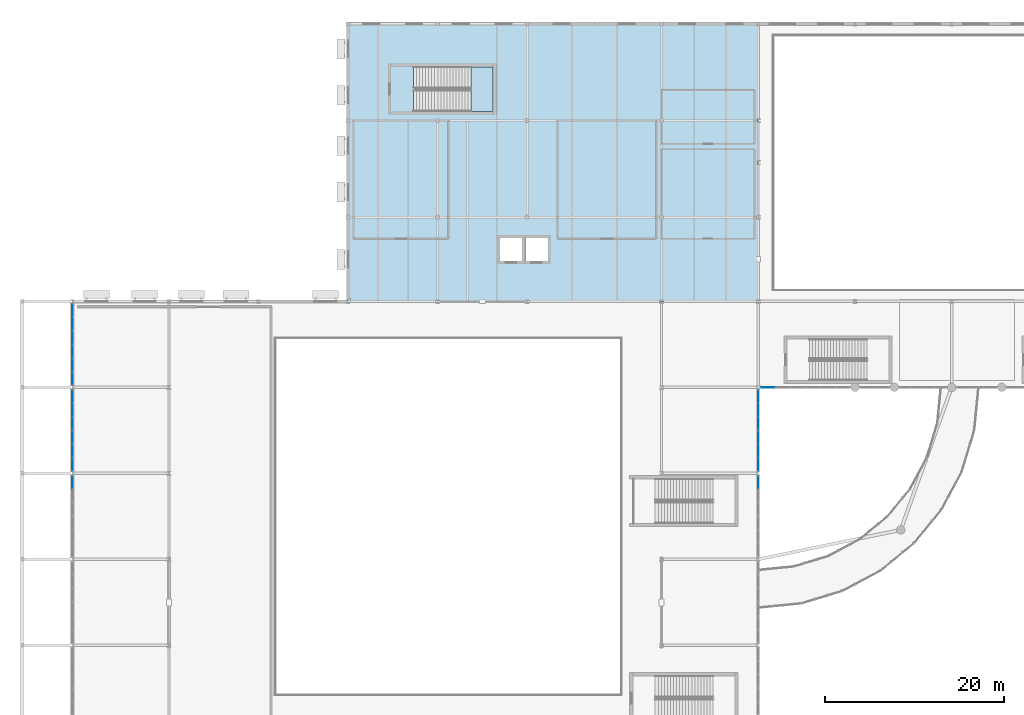
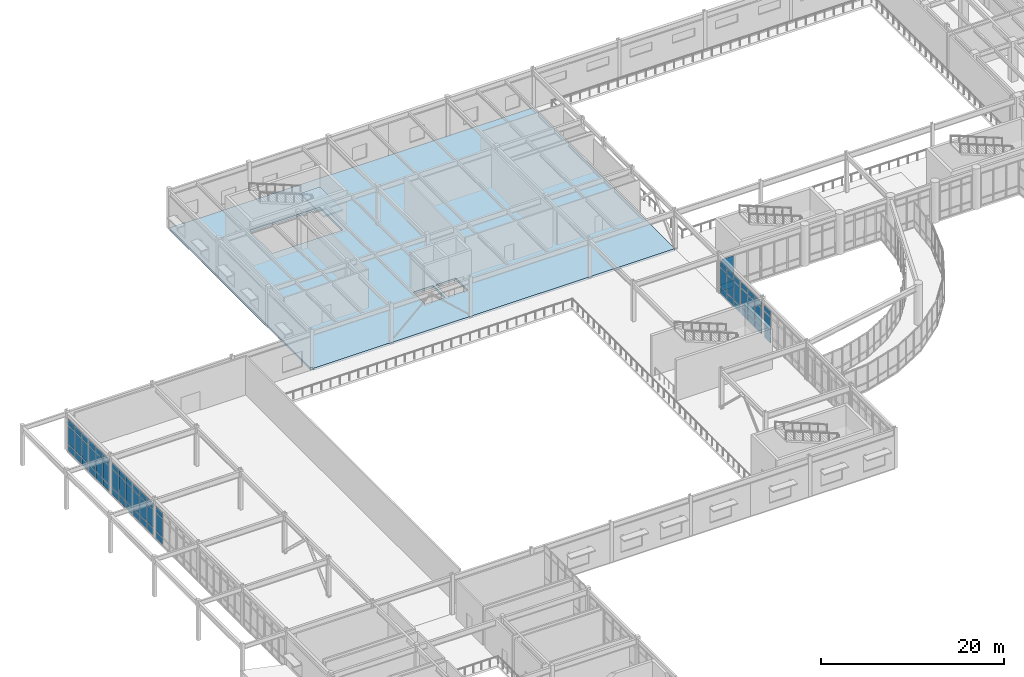
# One storey, part 41 of 72: 62 plates, 2 slabs, 10 elements without a shape of their own.
"""IFC4 building model written with IfcOpenShell, lengths in metres."""

from ifc_helpers import new_model, si_unit, direction, frame, origin, origin_2d, place, context, subcontext, project, spatial, polyline, rectangle, outline, extrude, material, layer, layer_set, type_object, element, aggregate, save


model = new_model("IFC4")

# Units and contexts
model_context = context("Model", 3, precision=1e-05, world=origin(), true_north=direction((0.0, 1.0)))
body_context = subcontext(model_context, "Body", "Model", "MODEL_VIEW")
ifc_project = project(units=[si_unit("LENGTHUNIT", "METRE"), si_unit("AREAUNIT", "SQUARE_METRE"), si_unit("VOLUMEUNIT", "CUBIC_METRE"), si_unit("PLANEANGLEUNIT", "RADIAN"), si_unit("MASSUNIT", "GRAM", prefix="KILO")], contexts=[model_context])

# Site, building, storey
site_placement = place(None, origin())
site = spatial("IfcSite", under=ifc_project, at=site_placement, CompositionType="ELEMENT")
building_placement = place(site_placement, origin())
building = spatial("IfcBuilding", under=site, at=building_placement, Name="Veldera Park Congress Hotel", CompositionType="ELEMENT")
storey_placement = place(building_placement, frame((0.0, 0.0, 5.39990234375)))
storey = spatial("IfcBuildingStorey", under=building, at=storey_placement, Name="L01", CompositionType="ELEMENT", Elevation=5.39990234375)

# Curtain wall, plates
ifc_material_1 = material(Name="Low-E Triple Insulating Glass Unit (SHGC 0.22)", Category="glass")
curtain_wall_type_1 = type_object("IfcCurtainWallType", Name="CW-POD", PredefinedType="NOTDEFINED", material=ifc_material_1)
curtain_wall_1_placement = place(storey_placement, origin())
curtain_wall_1 = element("IfcCurtainWall", 1, at=curtain_wall_1_placement, inside=storey, type_object=curtain_wall_type_1, Name="L01 Curtain Wall CW3-V2S-L01-029", PredefinedType="NOTDEFINED")
ifc_layer_1 = layer(ifc_material_1, 0.028076171875)
ifc_layer_set_1 = layer_set([ifc_layer_1], Name="Low-E Triple Insulating Glass Unit (SHGC 0.22)")
plate_type_1 = type_object("IfcPlateType", Name="CWP-IGU28", PredefinedType="CURTAIN_PANEL", material=ifc_layer_set_1)
plate_1_placement = place(storey_placement, frame((-0.5185546875, 17.39990234375, 0.0751953125), z_axis=(0.0, 0.0, 1.0), x_axis=(1.0, 0.0, 0.0)))
plate_1 = element("IfcPlate", 2, at=plate_1_placement, type_object=plate_type_1, Name="CW-POD panel 1.1", PredefinedType="CURTAIN_PANEL", context=body_context, shape_type="SweptSolid", body=[
    extrude(rectangle(XDim=1.558837890625, YDim=0.028076171875, at=origin_2d()), origin(), (0.0, 0.0, 1.0), 0.887451171875),
])
plate_2_placement = place(storey_placement, frame((-0.5185546875, 17.39990234375, 1.03759765625), z_axis=(0.0, 0.0, 1.0), x_axis=(1.0, 0.0, 0.0)))
plate_2 = element("IfcPlate", 3, at=plate_2_placement, type_object=plate_type_1, Name="CW-POD panel 1.2", PredefinedType="CURTAIN_PANEL", context=body_context, shape_type="SweptSolid", body=[
    extrude(rectangle(XDim=1.558837890625, YDim=0.028076171875, at=origin_2d()), origin(), (0.0, 0.0, 1.0), 3.2333984375),
])
aggregate(curtain_wall_1, [plate_1, plate_2])

curtain_wall_type_2 = type_object("IfcCurtainWallType", Name="CW-CNG", PredefinedType="NOTDEFINED", material=ifc_material_1)
curtain_wall_2_placement = place(storey_placement, origin())
curtain_wall_2 = element("IfcCurtainWall", 4, at=curtain_wall_2_placement, inside=storey, type_object=curtain_wall_type_2, Name="L01 Curtain Wall CW3-V1W-L01-011", PredefinedType="NOTDEFINED")
ifc_layer_2 = layer(ifc_material_1, 0.035888671875)
ifc_layer_set_2 = layer_set([ifc_layer_2], Name="Low-E Triple Insulating Glass Unit (SHGC 0.22)")
plate_type_2 = type_object("IfcPlateType", Name="CWP-IGU36", PredefinedType="CURTAIN_PANEL", material=ifc_layer_set_2)
plate_3_placement = place(storey_placement, frame((-78.199951171875, 25.994140625, 0.0751953125), z_axis=(0.0, 0.0, 1.0), x_axis=(0.0, -1.0, 0.0)))
plate_3 = element("IfcPlate", 5, at=plate_3_placement, type_object=plate_type_2, Name="CW-CNG panel 1.1", PredefinedType="CURTAIN_PANEL", context=body_context, shape_type="SweptSolid", body=[
    extrude(rectangle(XDim=1.40673828125, YDim=0.035888671875, at=origin_2d()), origin(), (0.0, 0.0, 1.0), 0.887451171875),
])
plate_4_placement = place(storey_placement, frame((-78.199951171875, 25.994140625, 1.03759765625), z_axis=(0.0, 0.0, 1.0), x_axis=(0.0, -1.0, 0.0)))
plate_4 = element("IfcPlate", 6, at=plate_4_placement, type_object=plate_type_2, Name="CW-CNG panel 1.2", PredefinedType="CURTAIN_PANEL", context=body_context, shape_type="SweptSolid", body=[
    extrude(rectangle(XDim=1.40673828125, YDim=0.035888671875, at=origin_2d()), origin(), (0.0, 0.0, 1.0), 2.4541015625),
])
plate_5_placement = place(storey_placement, frame((-78.199951171875, 25.994140625, 3.566650390625), z_axis=(0.0, 0.0, 1.0), x_axis=(0.0, -1.0, 0.0)))
plate_5 = element("IfcPlate", 7, at=plate_5_placement, type_object=plate_type_2, Name="CW-CNG panel 1.3", PredefinedType="CURTAIN_PANEL", context=body_context, shape_type="SweptSolid", body=[
    extrude(rectangle(XDim=1.40673828125, YDim=0.035888671875, at=origin_2d()), origin(), (0.0, 0.0, 1.0), 0.78759765625),
])
plate_6_placement = place(storey_placement, frame((-78.199951171875, 24.49365234375, 0.0751953125), z_axis=(0.0, 0.0, 1.0), x_axis=(0.0, -1.0, 0.0)))
plate_6 = element("IfcPlate", 8, at=plate_6_placement, type_object=plate_type_2, Name="CW-CNG panel 2.1", PredefinedType="CURTAIN_PANEL", context=body_context, shape_type="SweptSolid", body=[
    extrude(rectangle(XDim=1.444091796875, YDim=0.035888671875, at=origin_2d()), origin(), (0.0, 0.0, 1.0), 0.887451171875),
])
plate_7_placement = place(storey_placement, frame((-78.199951171875, 24.49365234375, 1.03759765625), z_axis=(0.0, 0.0, 1.0), x_axis=(0.0, -1.0, 0.0)))
plate_7 = element("IfcPlate", 9, at=plate_7_placement, type_object=plate_type_2, Name="CW-CNG panel 2.2", PredefinedType="CURTAIN_PANEL", context=body_context, shape_type="SweptSolid", body=[
    extrude(rectangle(XDim=1.444091796875, YDim=0.035888671875, at=origin_2d()), origin(), (0.0, 0.0, 1.0), 2.4541015625),
])
plate_8_placement = place(storey_placement, frame((-78.199951171875, 24.49365234375, 3.566650390625), z_axis=(0.0, 0.0, 1.0), x_axis=(0.0, -1.0, 0.0)))
plate_8 = element("IfcPlate", 10, at=plate_8_placement, type_object=plate_type_2, Name="CW-CNG panel 2.3", PredefinedType="CURTAIN_PANEL", context=body_context, shape_type="SweptSolid", body=[
    extrude(rectangle(XDim=1.444091796875, YDim=0.035888671875, at=origin_2d()), origin(), (0.0, 0.0, 1.0), 0.78759765625),
])
plate_9_placement = place(storey_placement, frame((-78.199951171875, 22.993408203125, 0.0751953125), z_axis=(0.0, 0.0, 1.0), x_axis=(0.0, -1.0, 0.0)))
plate_9 = element("IfcPlate", 11, at=plate_9_placement, type_object=plate_type_2, Name="CW-CNG panel 3.1", PredefinedType="CURTAIN_PANEL", context=body_context, shape_type="SweptSolid", body=[
    extrude(rectangle(XDim=1.40673828125, YDim=0.035888671875, at=origin_2d()), origin(), (0.0, 0.0, 1.0), 0.887451171875),
])
plate_10_placement = place(storey_placement, frame((-78.199951171875, 22.993408203125, 1.03759765625), z_axis=(0.0, 0.0, 1.0), x_axis=(0.0, -1.0, 0.0)))
plate_10 = element("IfcPlate", 12, at=plate_10_placement, type_object=plate_type_2, Name="CW-CNG panel 3.2", PredefinedType="CURTAIN_PANEL", context=body_context, shape_type="SweptSolid", body=[
    extrude(rectangle(XDim=1.40673828125, YDim=0.035888671875, at=origin_2d()), origin(), (0.0, 0.0, 1.0), 2.4541015625),
])
plate_11_placement = place(storey_placement, frame((-78.199951171875, 22.993408203125, 3.566650390625), z_axis=(0.0, 0.0, 1.0), x_axis=(0.0, -1.0, 0.0)))
plate_11 = element("IfcPlate", 13, at=plate_11_placement, type_object=plate_type_2, Name="CW-CNG panel 3.3", PredefinedType="CURTAIN_PANEL", context=body_context, shape_type="SweptSolid", body=[
    extrude(rectangle(XDim=1.40673828125, YDim=0.035888671875, at=origin_2d()), origin(), (0.0, 0.0, 1.0), 0.78759765625),
])
aggregate(curtain_wall_2, [plate_3, plate_4, plate_5, plate_6, plate_7, plate_8, plate_9, plate_10, plate_11])

curtain_wall_3_placement = place(storey_placement, origin())
curtain_wall_3 = element("IfcCurtainWall", 14, at=curtain_wall_3_placement, inside=storey, type_object=curtain_wall_type_2, Name="L01 Curtain Wall CW3-V1W-L01-012", PredefinedType="NOTDEFINED")
plate_12_placement = place(storey_placement, frame((-78.199951171875, 21.40673828125, 0.0751953125), z_axis=(0.0, 0.0, 1.0), x_axis=(0.0, -1.0, 0.0)))
plate_12 = element("IfcPlate", 15, at=plate_12_placement, type_object=plate_type_2, Name="CW-CNG panel 1.1", PredefinedType="CURTAIN_PANEL", context=body_context, shape_type="SweptSolid", body=[
    extrude(rectangle(XDim=1.40673828125, YDim=0.035888671875, at=origin_2d()), origin(), (0.0, 0.0, 1.0), 0.887451171875),
])
plate_13_placement = place(storey_placement, frame((-78.199951171875, 21.40673828125, 1.03759765625), z_axis=(0.0, 0.0, 1.0), x_axis=(0.0, -1.0, 0.0)))
plate_13 = element("IfcPlate", 16, at=plate_13_placement, type_object=plate_type_2, Name="CW-CNG panel 1.2", PredefinedType="CURTAIN_PANEL", context=body_context, shape_type="SweptSolid", body=[
    extrude(rectangle(XDim=1.40673828125, YDim=0.035888671875, at=origin_2d()), origin(), (0.0, 0.0, 1.0), 2.4541015625),
])
plate_14_placement = place(storey_placement, frame((-78.199951171875, 21.40673828125, 3.566650390625), z_axis=(0.0, 0.0, 1.0), x_axis=(0.0, -1.0, 0.0)))
plate_14 = element("IfcPlate", 17, at=plate_14_placement, type_object=plate_type_2, Name="CW-CNG panel 1.3", PredefinedType="CURTAIN_PANEL", context=body_context, shape_type="SweptSolid", body=[
    extrude(rectangle(XDim=1.40673828125, YDim=0.035888671875, at=origin_2d()), origin(), (0.0, 0.0, 1.0), 0.78759765625),
])
plate_15_placement = place(storey_placement, frame((-78.199951171875, 19.90625, 0.0751953125), z_axis=(0.0, 0.0, 1.0), x_axis=(0.0, -1.0, 0.0)))
plate_15 = element("IfcPlate", 18, at=plate_15_placement, type_object=plate_type_2, Name="CW-CNG panel 2.1", PredefinedType="CURTAIN_PANEL", context=body_context, shape_type="SweptSolid", body=[
    extrude(rectangle(XDim=1.444091796875, YDim=0.035888671875, at=origin_2d()), origin(), (0.0, 0.0, 1.0), 0.887451171875),
])
plate_16_placement = place(storey_placement, frame((-78.199951171875, 19.90625, 1.03759765625), z_axis=(0.0, 0.0, 1.0), x_axis=(0.0, -1.0, 0.0)))
plate_16 = element("IfcPlate", 19, at=plate_16_placement, type_object=plate_type_2, Name="CW-CNG panel 2.2", PredefinedType="CURTAIN_PANEL", context=body_context, shape_type="SweptSolid", body=[
    extrude(rectangle(XDim=1.444091796875, YDim=0.035888671875, at=origin_2d()), origin(), (0.0, 0.0, 1.0), 2.4541015625),
])
plate_17_placement = place(storey_placement, frame((-78.199951171875, 19.90625, 3.566650390625), z_axis=(0.0, 0.0, 1.0), x_axis=(0.0, -1.0, 0.0)))
plate_17 = element("IfcPlate", 20, at=plate_17_placement, type_object=plate_type_2, Name="CW-CNG panel 2.3", PredefinedType="CURTAIN_PANEL", context=body_context, shape_type="SweptSolid", body=[
    extrude(rectangle(XDim=1.444091796875, YDim=0.035888671875, at=origin_2d()), origin(), (0.0, 0.0, 1.0), 0.78759765625),
])
plate_18_placement = place(storey_placement, frame((-78.199951171875, 18.40576171875, 0.0751953125), z_axis=(0.0, 0.0, 1.0), x_axis=(0.0, -1.0, 0.0)))
plate_18 = element("IfcPlate", 21, at=plate_18_placement, type_object=plate_type_2, Name="CW-CNG panel 3.1", PredefinedType="CURTAIN_PANEL", context=body_context, shape_type="SweptSolid", body=[
    extrude(rectangle(XDim=1.40673828125, YDim=0.035888671875, at=origin_2d()), origin(), (0.0, 0.0, 1.0), 0.887451171875),
])
plate_19_placement = place(storey_placement, frame((-78.199951171875, 18.40576171875, 1.03759765625), z_axis=(0.0, 0.0, 1.0), x_axis=(0.0, -1.0, 0.0)))
plate_19 = element("IfcPlate", 22, at=plate_19_placement, type_object=plate_type_2, Name="CW-CNG panel 3.2", PredefinedType="CURTAIN_PANEL", context=body_context, shape_type="SweptSolid", body=[
    extrude(rectangle(XDim=1.40673828125, YDim=0.035888671875, at=origin_2d()), origin(), (0.0, 0.0, 1.0), 2.4541015625),
])
plate_20_placement = place(storey_placement, frame((-78.199951171875, 18.40576171875, 3.566650390625), z_axis=(0.0, 0.0, 1.0), x_axis=(0.0, -1.0, 0.0)))
plate_20 = element("IfcPlate", 23, at=plate_20_placement, type_object=plate_type_2, Name="CW-CNG panel 3.3", PredefinedType="CURTAIN_PANEL", context=body_context, shape_type="SweptSolid", body=[
    extrude(rectangle(XDim=1.40673828125, YDim=0.035888671875, at=origin_2d()), origin(), (0.0, 0.0, 1.0), 0.78759765625),
])
aggregate(curtain_wall_3, [plate_12, plate_13, plate_14, plate_15, plate_16, plate_17, plate_18, plate_19, plate_20])

curtain_wall_4_placement = place(storey_placement, origin())
curtain_wall_4 = element("IfcCurtainWall", 24, at=curtain_wall_4_placement, inside=storey, type_object=curtain_wall_type_2, Name="L01 Curtain Wall CW3-V1W-L01-013", PredefinedType="NOTDEFINED")
plate_21_placement = place(storey_placement, frame((-78.199951171875, 16.394287109375, 0.0751953125), z_axis=(0.0, 0.0, 1.0), x_axis=(0.0, -1.0, 0.0)))
plate_21 = element("IfcPlate", 25, at=plate_21_placement, type_object=plate_type_2, Name="CW-CNG panel 1.1", PredefinedType="CURTAIN_PANEL", context=body_context, shape_type="SweptSolid", body=[
    extrude(rectangle(XDim=1.40673828125, YDim=0.035888671875, at=origin_2d()), origin(), (0.0, 0.0, 1.0), 0.887451171875),
])
plate_22_placement = place(storey_placement, frame((-78.199951171875, 16.394287109375, 1.03759765625), z_axis=(0.0, 0.0, 1.0), x_axis=(0.0, -1.0, 0.0)))
plate_22 = element("IfcPlate", 26, at=plate_22_placement, type_object=plate_type_2, Name="CW-CNG panel 1.2", PredefinedType="CURTAIN_PANEL", context=body_context, shape_type="SweptSolid", body=[
    extrude(rectangle(XDim=1.40673828125, YDim=0.035888671875, at=origin_2d()), origin(), (0.0, 0.0, 1.0), 2.4541015625),
])
plate_23_placement = place(storey_placement, frame((-78.199951171875, 16.394287109375, 3.566650390625), z_axis=(0.0, 0.0, 1.0), x_axis=(0.0, -1.0, 0.0)))
plate_23 = element("IfcPlate", 27, at=plate_23_placement, type_object=plate_type_2, Name="CW-CNG panel 1.3", PredefinedType="CURTAIN_PANEL", context=body_context, shape_type="SweptSolid", body=[
    extrude(rectangle(XDim=1.40673828125, YDim=0.035888671875, at=origin_2d()), origin(), (0.0, 0.0, 1.0), 0.78759765625),
])
plate_24_placement = place(storey_placement, frame((-78.199951171875, 14.893798828125, 0.0751953125), z_axis=(0.0, 0.0, 1.0), x_axis=(0.0, -1.0, 0.0)))
plate_24 = element("IfcPlate", 28, at=plate_24_placement, type_object=plate_type_2, Name="CW-CNG panel 2.1", PredefinedType="CURTAIN_PANEL", context=body_context, shape_type="SweptSolid", body=[
    extrude(rectangle(XDim=1.444091796875, YDim=0.035888671875, at=origin_2d()), origin(), (0.0, 0.0, 1.0), 0.887451171875),
])
plate_25_placement = place(storey_placement, frame((-78.199951171875, 14.893798828125, 1.03759765625), z_axis=(0.0, 0.0, 1.0), x_axis=(0.0, -1.0, 0.0)))
plate_25 = element("IfcPlate", 29, at=plate_25_placement, type_object=plate_type_2, Name="CW-CNG panel 2.2", PredefinedType="CURTAIN_PANEL", context=body_context, shape_type="SweptSolid", body=[
    extrude(rectangle(XDim=1.444091796875, YDim=0.035888671875, at=origin_2d()), origin(), (0.0, 0.0, 1.0), 2.4541015625),
])
plate_26_placement = place(storey_placement, frame((-78.199951171875, 14.893798828125, 3.566650390625), z_axis=(0.0, 0.0, 1.0), x_axis=(0.0, -1.0, 0.0)))
plate_26 = element("IfcPlate", 30, at=plate_26_placement, type_object=plate_type_2, Name="CW-CNG panel 2.3", PredefinedType="CURTAIN_PANEL", context=body_context, shape_type="SweptSolid", body=[
    extrude(rectangle(XDim=1.444091796875, YDim=0.035888671875, at=origin_2d()), origin(), (0.0, 0.0, 1.0), 0.78759765625),
])
plate_27_placement = place(storey_placement, frame((-78.199951171875, 13.393310546875, 0.0751953125), z_axis=(0.0, 0.0, 1.0), x_axis=(0.0, -1.0, 0.0)))
plate_27 = element("IfcPlate", 31, at=plate_27_placement, type_object=plate_type_2, Name="CW-CNG panel 3.1", PredefinedType="CURTAIN_PANEL", context=body_context, shape_type="SweptSolid", body=[
    extrude(rectangle(XDim=1.40673828125, YDim=0.035888671875, at=origin_2d()), origin(), (0.0, 0.0, 1.0), 0.887451171875),
])
plate_28_placement = place(storey_placement, frame((-78.199951171875, 13.393310546875, 1.03759765625), z_axis=(0.0, 0.0, 1.0), x_axis=(0.0, -1.0, 0.0)))
plate_28 = element("IfcPlate", 32, at=plate_28_placement, type_object=plate_type_2, Name="CW-CNG panel 3.2", PredefinedType="CURTAIN_PANEL", context=body_context, shape_type="SweptSolid", body=[
    extrude(rectangle(XDim=1.40673828125, YDim=0.035888671875, at=origin_2d()), origin(), (0.0, 0.0, 1.0), 2.4541015625),
])
plate_29_placement = place(storey_placement, frame((-78.199951171875, 13.393310546875, 3.566650390625), z_axis=(0.0, 0.0, 1.0), x_axis=(0.0, -1.0, 0.0)))
plate_29 = element("IfcPlate", 33, at=plate_29_placement, type_object=plate_type_2, Name="CW-CNG panel 3.3", PredefinedType="CURTAIN_PANEL", context=body_context, shape_type="SweptSolid", body=[
    extrude(rectangle(XDim=1.40673828125, YDim=0.035888671875, at=origin_2d()), origin(), (0.0, 0.0, 1.0), 0.78759765625),
])
aggregate(curtain_wall_4, [plate_21, plate_22, plate_23, plate_24, plate_25, plate_26, plate_27, plate_28, plate_29])

curtain_wall_5_placement = place(storey_placement, origin())
curtain_wall_5 = element("IfcCurtainWall", 34, at=curtain_wall_5_placement, inside=storey, type_object=curtain_wall_type_2, Name="L01 Curtain Wall CW3-V1W-L01-014", PredefinedType="NOTDEFINED")
plate_30_placement = place(storey_placement, frame((-78.199951171875, 11.806640625, 0.0751953125), z_axis=(0.0, 0.0, 1.0), x_axis=(0.0, -1.0, 0.0)))
plate_30 = element("IfcPlate", 35, at=plate_30_placement, type_object=plate_type_2, Name="CW-CNG panel 1.1", PredefinedType="CURTAIN_PANEL", context=body_context, shape_type="SweptSolid", body=[
    extrude(rectangle(XDim=1.40673828125, YDim=0.035888671875, at=origin_2d()), origin(), (0.0, 0.0, 1.0), 0.887451171875),
])
plate_31_placement = place(storey_placement, frame((-78.199951171875, 11.806640625, 1.03759765625), z_axis=(0.0, 0.0, 1.0), x_axis=(0.0, -1.0, 0.0)))
plate_31 = element("IfcPlate", 36, at=plate_31_placement, type_object=plate_type_2, Name="CW-CNG panel 1.2", PredefinedType="CURTAIN_PANEL", context=body_context, shape_type="SweptSolid", body=[
    extrude(rectangle(XDim=1.40673828125, YDim=0.035888671875, at=origin_2d()), origin(), (0.0, 0.0, 1.0), 2.4541015625),
])
plate_32_placement = place(storey_placement, frame((-78.199951171875, 11.806640625, 3.566650390625), z_axis=(0.0, 0.0, 1.0), x_axis=(0.0, -1.0, 0.0)))
plate_32 = element("IfcPlate", 37, at=plate_32_placement, type_object=plate_type_2, Name="CW-CNG panel 1.3", PredefinedType="CURTAIN_PANEL", context=body_context, shape_type="SweptSolid", body=[
    extrude(rectangle(XDim=1.40673828125, YDim=0.035888671875, at=origin_2d()), origin(), (0.0, 0.0, 1.0), 0.78759765625),
])
plate_33_placement = place(storey_placement, frame((-78.199951171875, 10.30615234375, 0.0751953125), z_axis=(0.0, 0.0, 1.0), x_axis=(0.0, -1.0, 0.0)))
plate_33 = element("IfcPlate", 38, at=plate_33_placement, type_object=plate_type_2, Name="CW-CNG panel 2.1", PredefinedType="CURTAIN_PANEL", context=body_context, shape_type="SweptSolid", body=[
    extrude(rectangle(XDim=1.444091796875, YDim=0.035888671875, at=origin_2d()), origin(), (0.0, 0.0, 1.0), 0.887451171875),
])
plate_34_placement = place(storey_placement, frame((-78.199951171875, 10.30615234375, 1.03759765625), z_axis=(0.0, 0.0, 1.0), x_axis=(0.0, -1.0, 0.0)))
plate_34 = element("IfcPlate", 39, at=plate_34_placement, type_object=plate_type_2, Name="CW-CNG panel 2.2", PredefinedType="CURTAIN_PANEL", context=body_context, shape_type="SweptSolid", body=[
    extrude(rectangle(XDim=1.444091796875, YDim=0.035888671875, at=origin_2d()), origin(), (0.0, 0.0, 1.0), 2.4541015625),
])
plate_35_placement = place(storey_placement, frame((-78.199951171875, 10.30615234375, 3.566650390625), z_axis=(0.0, 0.0, 1.0), x_axis=(0.0, -1.0, 0.0)))
plate_35 = element("IfcPlate", 40, at=plate_35_placement, type_object=plate_type_2, Name="CW-CNG panel 2.3", PredefinedType="CURTAIN_PANEL", context=body_context, shape_type="SweptSolid", body=[
    extrude(rectangle(XDim=1.444091796875, YDim=0.035888671875, at=origin_2d()), origin(), (0.0, 0.0, 1.0), 0.78759765625),
])
plate_36_placement = place(storey_placement, frame((-78.199951171875, 8.805908203125, 0.0751953125), z_axis=(0.0, 0.0, 1.0), x_axis=(0.0, -1.0, 0.0)))
plate_36 = element("IfcPlate", 41, at=plate_36_placement, type_object=plate_type_2, Name="CW-CNG panel 3.1", PredefinedType="CURTAIN_PANEL", context=body_context, shape_type="SweptSolid", body=[
    extrude(rectangle(XDim=1.40673828125, YDim=0.035888671875, at=origin_2d()), origin(), (0.0, 0.0, 1.0), 0.887451171875),
])
plate_37_placement = place(storey_placement, frame((-78.199951171875, 8.805908203125, 1.03759765625), z_axis=(0.0, 0.0, 1.0), x_axis=(0.0, -1.0, 0.0)))
plate_37 = element("IfcPlate", 42, at=plate_37_placement, type_object=plate_type_2, Name="CW-CNG panel 3.2", PredefinedType="CURTAIN_PANEL", context=body_context, shape_type="SweptSolid", body=[
    extrude(rectangle(XDim=1.40673828125, YDim=0.035888671875, at=origin_2d()), origin(), (0.0, 0.0, 1.0), 2.4541015625),
])
plate_38_placement = place(storey_placement, frame((-78.199951171875, 8.805908203125, 3.566650390625), z_axis=(0.0, 0.0, 1.0), x_axis=(0.0, -1.0, 0.0)))
plate_38 = element("IfcPlate", 43, at=plate_38_placement, type_object=plate_type_2, Name="CW-CNG panel 3.3", PredefinedType="CURTAIN_PANEL", context=body_context, shape_type="SweptSolid", body=[
    extrude(rectangle(XDim=1.40673828125, YDim=0.035888671875, at=origin_2d()), origin(), (0.0, 0.0, 1.0), 0.78759765625),
])
aggregate(curtain_wall_5, [plate_30, plate_31, plate_32, plate_33, plate_34, plate_35, plate_36, plate_37, plate_38])

curtain_wall_6_placement = place(storey_placement, origin())
curtain_wall_6 = element("IfcCurtainWall", 44, at=curtain_wall_6_placement, inside=storey, type_object=curtain_wall_type_2, Name="L01 Curtain Wall CW3-V1W-L01-015", PredefinedType="NOTDEFINED")
plate_39_placement = place(storey_placement, frame((-78.199951171875, 6.794189453125, 0.0751953125), z_axis=(0.0, 0.0, 1.0), x_axis=(0.0, -1.0, 0.0)))
plate_39 = element("IfcPlate", 45, at=plate_39_placement, type_object=plate_type_2, Name="CW-CNG panel 1.1", PredefinedType="CURTAIN_PANEL", context=body_context, shape_type="SweptSolid", body=[
    extrude(rectangle(XDim=1.40673828125, YDim=0.035888671875, at=origin_2d()), origin(), (0.0, 0.0, 1.0), 0.887451171875),
])
plate_40_placement = place(storey_placement, frame((-78.199951171875, 6.794189453125, 1.03759765625), z_axis=(0.0, 0.0, 1.0), x_axis=(0.0, -1.0, 0.0)))
plate_40 = element("IfcPlate", 46, at=plate_40_placement, type_object=plate_type_2, Name="CW-CNG panel 1.2", PredefinedType="CURTAIN_PANEL", context=body_context, shape_type="SweptSolid", body=[
    extrude(rectangle(XDim=1.40673828125, YDim=0.035888671875, at=origin_2d()), origin(), (0.0, 0.0, 1.0), 2.4541015625),
])
plate_41_placement = place(storey_placement, frame((-78.199951171875, 6.794189453125, 3.566650390625), z_axis=(0.0, 0.0, 1.0), x_axis=(0.0, -1.0, 0.0)))
plate_41 = element("IfcPlate", 47, at=plate_41_placement, type_object=plate_type_2, Name="CW-CNG panel 1.3", PredefinedType="CURTAIN_PANEL", context=body_context, shape_type="SweptSolid", body=[
    extrude(rectangle(XDim=1.40673828125, YDim=0.035888671875, at=origin_2d()), origin(), (0.0, 0.0, 1.0), 0.78759765625),
])
aggregate(curtain_wall_6, [plate_39, plate_40, plate_41])

curtain_wall_7_placement = place(storey_placement, origin())
curtain_wall_7 = element("IfcCurtainWall", 48, at=curtain_wall_7_placement, inside=storey, type_object=curtain_wall_type_1, Name="L01 Curtain Wall CW3-V1E-L01-026", PredefinedType="NOTDEFINED")
plate_42_placement = place(storey_placement, frame((-1.60009765625, 6.794189453125, 0.080078125), z_axis=(0.0, 0.0, 1.0), x_axis=(0.0, 1.0, 0.0)))
plate_42 = element("IfcPlate", 49, at=plate_42_placement, type_object=plate_type_2, Name="CW-POD panel 3.1", PredefinedType="CURTAIN_PANEL", context=body_context, shape_type="SweptSolid", body=[
    extrude(rectangle(XDim=1.399658203125, YDim=0.035888671875, at=origin_2d()), origin(), (0.0, 0.0, 1.0), 0.8798828125),
])
plate_43_placement = place(storey_placement, frame((-1.60009765625, 6.794189453125, 1.0400390625), z_axis=(0.0, 0.0, 1.0), x_axis=(0.0, 1.0, 0.0)))
plate_43 = element("IfcPlate", 50, at=plate_43_placement, type_object=plate_type_2, Name="CW-POD panel 3.2", PredefinedType="CURTAIN_PANEL", context=body_context, shape_type="SweptSolid", body=[
    extrude(rectangle(XDim=1.399658203125, YDim=0.035888671875, at=origin_2d()), origin(), (0.0, 0.0, 1.0), 2.451904296875),
])
plate_44_placement = place(storey_placement, frame((-1.60009765625, 6.794189453125, 3.572265625), z_axis=(0.0, 0.0, 1.0), x_axis=(0.0, 1.0, 0.0)))
plate_44 = element("IfcPlate", 51, at=plate_44_placement, type_object=plate_type_2, Name="CW-POD panel 3.3", PredefinedType="CURTAIN_PANEL", context=body_context, shape_type="SweptSolid", body=[
    extrude(rectangle(XDim=1.399658203125, YDim=0.035888671875, at=origin_2d()), origin(), (0.0, 0.0, 1.0), 0.780029296875),
])
aggregate(curtain_wall_7, [plate_42, plate_43, plate_44])

curtain_wall_8_placement = place(storey_placement, origin())
curtain_wall_8 = element("IfcCurtainWall", 52, at=curtain_wall_8_placement, inside=storey, type_object=curtain_wall_type_1, Name="L01 Curtain Wall CW3-V1E-L01-027", PredefinedType="NOTDEFINED")
plate_45_placement = place(storey_placement, frame((-1.60009765625, 8.805908203125, 0.080078125), z_axis=(0.0, 0.0, 1.0), x_axis=(0.0, 1.0, 0.0)))
plate_45 = element("IfcPlate", 53, at=plate_45_placement, type_object=plate_type_2, Name="CW-POD panel 1.1", PredefinedType="CURTAIN_PANEL", context=body_context, shape_type="SweptSolid", body=[
    extrude(rectangle(XDim=1.399658203125, YDim=0.035888671875, at=origin_2d()), origin(), (0.0, 0.0, 1.0), 0.8798828125),
])
plate_46_placement = place(storey_placement, frame((-1.60009765625, 8.805908203125, 1.0400390625), z_axis=(0.0, 0.0, 1.0), x_axis=(0.0, 1.0, 0.0)))
plate_46 = element("IfcPlate", 54, at=plate_46_placement, type_object=plate_type_2, Name="CW-POD panel 1.2", PredefinedType="CURTAIN_PANEL", context=body_context, shape_type="SweptSolid", body=[
    extrude(rectangle(XDim=1.399658203125, YDim=0.035888671875, at=origin_2d()), origin(), (0.0, 0.0, 1.0), 2.451904296875),
])
plate_47_placement = place(storey_placement, frame((-1.60009765625, 8.805908203125, 3.572265625), z_axis=(0.0, 0.0, 1.0), x_axis=(0.0, 1.0, 0.0)))
plate_47 = element("IfcPlate", 55, at=plate_47_placement, type_object=plate_type_2, Name="CW-POD panel 1.3", PredefinedType="CURTAIN_PANEL", context=body_context, shape_type="SweptSolid", body=[
    extrude(rectangle(XDim=1.399658203125, YDim=0.035888671875, at=origin_2d()), origin(), (0.0, 0.0, 1.0), 0.780029296875),
])
plate_48_placement = place(storey_placement, frame((-1.60009765625, 10.305419921875, 0.080078125), z_axis=(0.0, 0.0, 1.0), x_axis=(0.0, 1.0, 0.0)))
plate_48 = element("IfcPlate", 56, at=plate_48_placement, type_object=plate_type_2, Name="CW-POD panel 2.1", PredefinedType="CURTAIN_PANEL", context=body_context, shape_type="SweptSolid", body=[
    extrude(rectangle(XDim=1.439697265625, YDim=0.035888671875, at=origin_2d()), origin(), (0.0, 0.0, 1.0), 0.8798828125),
])
plate_49_placement = place(storey_placement, frame((-1.60009765625, 10.305419921875, 1.0400390625), z_axis=(0.0, 0.0, 1.0), x_axis=(0.0, 1.0, 0.0)))
plate_49 = element("IfcPlate", 57, at=plate_49_placement, type_object=plate_type_2, Name="CW-POD panel 2.2", PredefinedType="CURTAIN_PANEL", context=body_context, shape_type="SweptSolid", body=[
    extrude(rectangle(XDim=1.439697265625, YDim=0.035888671875, at=origin_2d()), origin(), (0.0, 0.0, 1.0), 2.451904296875),
])
plate_50_placement = place(storey_placement, frame((-1.60009765625, 10.305419921875, 3.572265625), z_axis=(0.0, 0.0, 1.0), x_axis=(0.0, 1.0, 0.0)))
plate_50 = element("IfcPlate", 58, at=plate_50_placement, type_object=plate_type_2, Name="CW-POD panel 2.3", PredefinedType="CURTAIN_PANEL", context=body_context, shape_type="SweptSolid", body=[
    extrude(rectangle(XDim=1.439697265625, YDim=0.035888671875, at=origin_2d()), origin(), (0.0, 0.0, 1.0), 0.780029296875),
])
plate_51_placement = place(storey_placement, frame((-1.60009765625, 11.80517578125, 0.080078125), z_axis=(0.0, 0.0, 1.0), x_axis=(0.0, 1.0, 0.0)))
plate_51 = element("IfcPlate", 59, at=plate_51_placement, type_object=plate_type_2, Name="CW-POD panel 3.1", PredefinedType="CURTAIN_PANEL", context=body_context, shape_type="SweptSolid", body=[
    extrude(rectangle(XDim=1.399658203125, YDim=0.035888671875, at=origin_2d()), origin(), (0.0, 0.0, 1.0), 0.8798828125),
])
plate_52_placement = place(storey_placement, frame((-1.60009765625, 11.80517578125, 1.0400390625), z_axis=(0.0, 0.0, 1.0), x_axis=(0.0, 1.0, 0.0)))
plate_52 = element("IfcPlate", 60, at=plate_52_placement, type_object=plate_type_2, Name="CW-POD panel 3.2", PredefinedType="CURTAIN_PANEL", context=body_context, shape_type="SweptSolid", body=[
    extrude(rectangle(XDim=1.399658203125, YDim=0.035888671875, at=origin_2d()), origin(), (0.0, 0.0, 1.0), 2.451904296875),
])
plate_53_placement = place(storey_placement, frame((-1.60009765625, 11.80517578125, 3.572265625), z_axis=(0.0, 0.0, 1.0), x_axis=(0.0, 1.0, 0.0)))
plate_53 = element("IfcPlate", 61, at=plate_53_placement, type_object=plate_type_2, Name="CW-POD panel 3.3", PredefinedType="CURTAIN_PANEL", context=body_context, shape_type="SweptSolid", body=[
    extrude(rectangle(XDim=1.399658203125, YDim=0.035888671875, at=origin_2d()), origin(), (0.0, 0.0, 1.0), 0.780029296875),
])
aggregate(curtain_wall_8, [plate_45, plate_46, plate_47, plate_48, plate_49, plate_50, plate_51, plate_52, plate_53])

curtain_wall_9_placement = place(storey_placement, origin())
curtain_wall_9 = element("IfcCurtainWall", 62, at=curtain_wall_9_placement, inside=storey, type_object=curtain_wall_type_1, Name="L01 Curtain Wall CW3-V1E-L01-028", PredefinedType="NOTDEFINED")
plate_54_placement = place(storey_placement, frame((-1.60009765625, 13.394775390625, 0.080078125), z_axis=(0.0, 0.0, 1.0), x_axis=(0.0, 1.0, 0.0)))
plate_54 = element("IfcPlate", 63, at=plate_54_placement, type_object=plate_type_2, Name="CW-POD panel 1.1", PredefinedType="CURTAIN_PANEL", context=body_context, shape_type="SweptSolid", body=[
    extrude(rectangle(XDim=1.399658203125, YDim=0.035888671875, at=origin_2d()), origin(), (0.0, 0.0, 1.0), 0.8798828125),
])
plate_55_placement = place(storey_placement, frame((-1.60009765625, 13.394775390625, 1.0400390625), z_axis=(0.0, 0.0, 1.0), x_axis=(0.0, 1.0, 0.0)))
plate_55 = element("IfcPlate", 64, at=plate_55_placement, type_object=plate_type_2, Name="CW-POD panel 1.2", PredefinedType="CURTAIN_PANEL", context=body_context, shape_type="SweptSolid", body=[
    extrude(rectangle(XDim=1.399658203125, YDim=0.035888671875, at=origin_2d()), origin(), (0.0, 0.0, 1.0), 2.451904296875),
])
plate_56_placement = place(storey_placement, frame((-1.60009765625, 13.394775390625, 3.572265625), z_axis=(0.0, 0.0, 1.0), x_axis=(0.0, 1.0, 0.0)))
plate_56 = element("IfcPlate", 65, at=plate_56_placement, type_object=plate_type_2, Name="CW-POD panel 1.3", PredefinedType="CURTAIN_PANEL", context=body_context, shape_type="SweptSolid", body=[
    extrude(rectangle(XDim=1.399658203125, YDim=0.035888671875, at=origin_2d()), origin(), (0.0, 0.0, 1.0), 0.780029296875),
])
plate_57_placement = place(storey_placement, frame((-1.60009765625, 14.89453125, 0.080078125), z_axis=(0.0, 0.0, 1.0), x_axis=(0.0, 1.0, 0.0)))
plate_57 = element("IfcPlate", 66, at=plate_57_placement, type_object=plate_type_2, Name="CW-POD panel 2.1", PredefinedType="CURTAIN_PANEL", context=body_context, shape_type="SweptSolid", body=[
    extrude(rectangle(XDim=1.439697265625, YDim=0.035888671875, at=origin_2d()), origin(), (0.0, 0.0, 1.0), 0.8798828125),
])
plate_58_placement = place(storey_placement, frame((-1.60009765625, 14.89453125, 1.0400390625), z_axis=(0.0, 0.0, 1.0), x_axis=(0.0, 1.0, 0.0)))
plate_58 = element("IfcPlate", 67, at=plate_58_placement, type_object=plate_type_2, Name="CW-POD panel 2.2", PredefinedType="CURTAIN_PANEL", context=body_context, shape_type="SweptSolid", body=[
    extrude(rectangle(XDim=1.439697265625, YDim=0.035888671875, at=origin_2d()), origin(), (0.0, 0.0, 1.0), 2.451904296875),
])
plate_59_placement = place(storey_placement, frame((-1.60009765625, 14.89453125, 3.572265625), z_axis=(0.0, 0.0, 1.0), x_axis=(0.0, 1.0, 0.0)))
plate_59 = element("IfcPlate", 68, at=plate_59_placement, type_object=plate_type_2, Name="CW-POD panel 2.3", PredefinedType="CURTAIN_PANEL", context=body_context, shape_type="SweptSolid", body=[
    extrude(rectangle(XDim=1.439697265625, YDim=0.035888671875, at=origin_2d()), origin(), (0.0, 0.0, 1.0), 0.780029296875),
])
plate_60_placement = place(storey_placement, frame((-1.60009765625, 16.394287109375, 0.080078125), z_axis=(0.0, 0.0, 1.0), x_axis=(0.0, 1.0, 0.0)))
plate_60 = element("IfcPlate", 69, at=plate_60_placement, type_object=plate_type_2, Name="CW-POD panel 3.1", PredefinedType="CURTAIN_PANEL", context=body_context, shape_type="SweptSolid", body=[
    extrude(rectangle(XDim=1.399658203125, YDim=0.035888671875, at=origin_2d()), origin(), (0.0, 0.0, 1.0), 0.8798828125),
])
plate_61_placement = place(storey_placement, frame((-1.60009765625, 16.394287109375, 1.0400390625), z_axis=(0.0, 0.0, 1.0), x_axis=(0.0, 1.0, 0.0)))
plate_61 = element("IfcPlate", 70, at=plate_61_placement, type_object=plate_type_2, Name="CW-POD panel 3.2", PredefinedType="CURTAIN_PANEL", context=body_context, shape_type="SweptSolid", body=[
    extrude(rectangle(XDim=1.399658203125, YDim=0.035888671875, at=origin_2d()), origin(), (0.0, 0.0, 1.0), 2.451904296875),
])
plate_62_placement = place(storey_placement, frame((-1.60009765625, 16.394287109375, 3.572265625), z_axis=(0.0, 0.0, 1.0), x_axis=(0.0, 1.0, 0.0)))
plate_62 = element("IfcPlate", 71, at=plate_62_placement, type_object=plate_type_2, Name="CW-POD panel 3.3", PredefinedType="CURTAIN_PANEL", context=body_context, shape_type="SweptSolid", body=[
    extrude(rectangle(XDim=1.399658203125, YDim=0.035888671875, at=origin_2d()), origin(), (0.0, 0.0, 1.0), 0.780029296875),
])
aggregate(curtain_wall_9, [plate_54, plate_55, plate_56, plate_57, plate_58, plate_59, plate_60, plate_61, plate_62])

# Slab
ifc_material_2 = material(Name="Concrete f'c 40 MPa (5,800 psi)", Category="concrete")
ifc_layer_3 = layer(ifc_material_2, 0.280029296875)
ifc_layer_set_3 = layer_set([ifc_layer_3], Name="Concrete f'c 40 MPa (5,800 psi)")
slab_type_1 = type_object("IfcSlabType", Name="SLB-RC280", PredefinedType="FLOOR", material=ifc_layer_set_3)
slab_1_placement = place(storey_placement, frame((0.0, 0.0, -0.27978515625)))
element("IfcSlab", 72, at=slab_1_placement, inside=storey, type_object=slab_type_1, Name="L01 Floor Slab SLB-L01-NW", PredefinedType="FLOOR", context=body_context, shape_type="SweptSolid", body=[
    extrude(outline(polyline([(-47.39990234375, 27.260009765625), (-47.139892578125, 27.260009765625), (-47.139892578125, 27.0), (-1.60009765625, 27.0), (-1.60009765625, 58.0), (-47.39990234375, 58.0), (-47.39990234375, 27.260009765625)]), holes=[polyline([(-40.0849609375, 48.199951171875), (-31.199951171875, 48.199951171875), (-31.199951171875, 53.199951171875), (-40.0849609375, 53.199951171875), (-40.0849609375, 48.199951171875)]), polyline([(-30.449951171875, 31.5), (-27.949951171875, 31.5), (-27.949951171875, 34.10009765625), (-30.449951171875, 34.10009765625), (-30.449951171875, 31.5)]), polyline([(-27.60009765625, 31.5), (-25.10009765625, 31.5), (-25.10009765625, 34.10009765625), (-27.60009765625, 34.10009765625), (-27.60009765625, 31.5)])]), origin(), (0.0, 0.0, 1.0), 0.27978515625),
])

# Stair, slab
stair_type = type_object("IfcStairType", Name="ST4", PredefinedType="HALF_TURN_STAIR", material=ifc_material_2)
stair_placement = place(storey_placement, origin())
stair = element("IfcStair", 73, at=stair_placement, inside=storey, type_object=stair_type, Name="L01 Protected Exit Stair ST4", PredefinedType="HALF_TURN_STAIR")
ifc_layer_4 = layer(ifc_material_2, 0.199951171875)
ifc_layer_set_4 = layer_set([ifc_layer_4], Name="Concrete f'c 40 MPa (5,800 psi)")
slab_type_2 = type_object("IfcSlabType", Name="SLD-ST4", PredefinedType="LANDING", material=ifc_layer_set_4)
slab_2_placement = place(storey_placement, frame((0.0, 0.0, 2.5)))
slab_2 = element("IfcSlab", 74, at=slab_2_placement, type_object=slab_type_2, Name="ST4 landing 1", PredefinedType="LANDING", context=body_context, shape_type="SweptSolid", body=[
    extrude(outline(polyline([(-33.655029296875, 48.199951171875), (-31.199951171875, 48.199951171875), (-31.199951171875, 53.199951171875), (-33.655029296875, 53.199951171875), (-33.655029296875, 48.199951171875)])), origin(), (0.0, 0.0, 1.0), 0.2001953125),
])
aggregate(stair, [slab_2])

save(model, "model.ifc")
